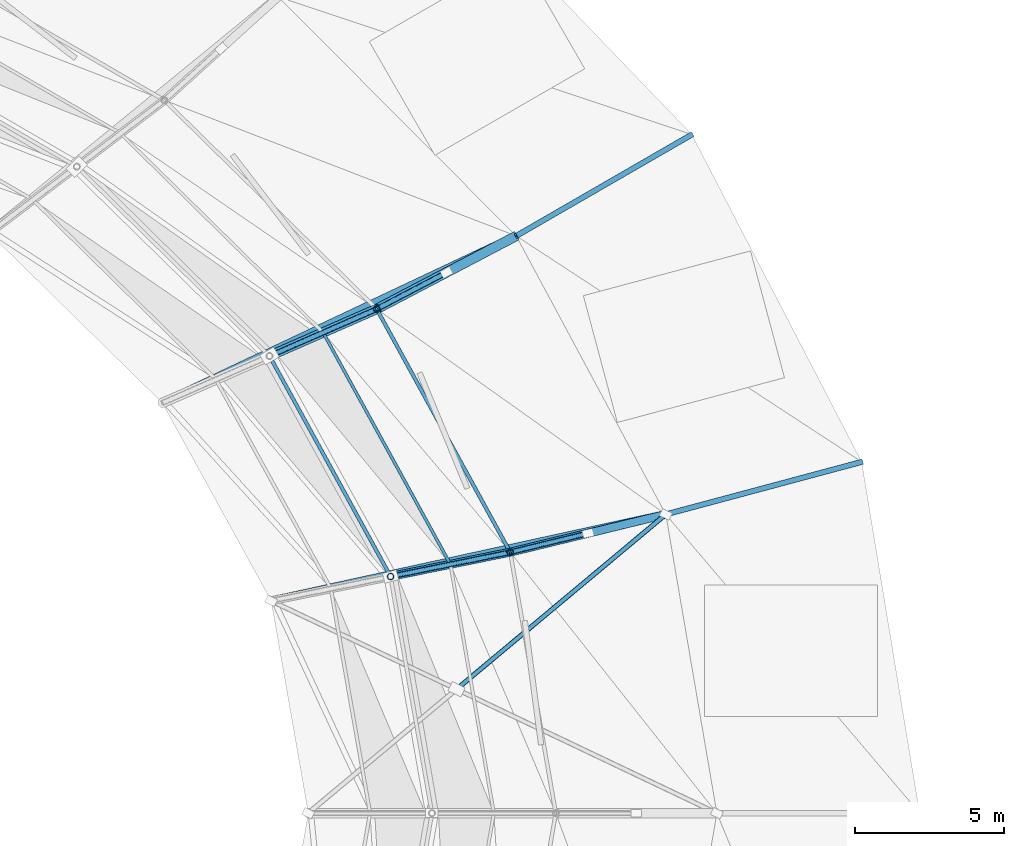
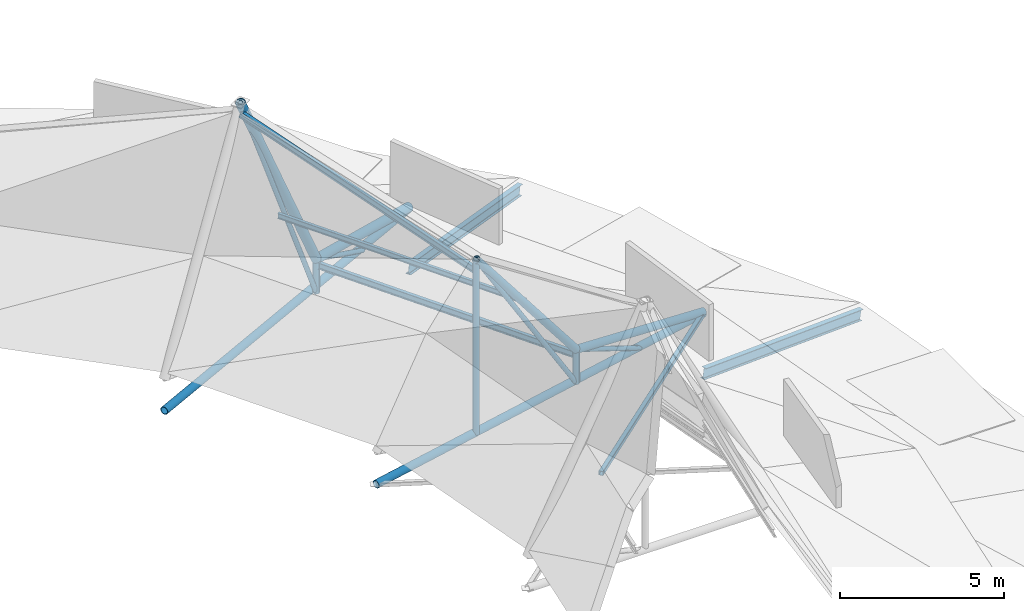
# One storey, part 22 of 36: 15 members, 4 beams.
"""IFC4 building model written with IfcOpenShell, lengths in metres."""

from ifc_helpers import new_model, si_unit, direction, frame, origin, origin_2d, place, context, subcontext, project, spatial, hollow_rectangle, hollow_circle, i_section, extrude, material, material_profile, profile_set, type_object, element, save


model = new_model("IFC4")

# Units and contexts
model_context = context("Model", 3, precision=1e-05, world=origin(), true_north=direction((0.0, 1.0)))
body_context = subcontext(model_context, "Body", "Model", "MODEL_VIEW")
ifc_project = project(units=[si_unit("LENGTHUNIT", "METRE"), si_unit("AREAUNIT", "SQUARE_METRE"), si_unit("VOLUMEUNIT", "CUBIC_METRE"), si_unit("PLANEANGLEUNIT", "RADIAN"), si_unit("MASSUNIT", "GRAM", prefix="KILO")], contexts=[model_context])

# Site, building, storey
site_placement = place(None, origin())
site = spatial("IfcSite", under=ifc_project, at=site_placement, CompositionType="ELEMENT")
building_placement = place(site_placement, origin())
building = spatial("IfcBuilding", under=site, at=building_placement, Name="Kildeholm Park Wholesale Market", CompositionType="ELEMENT")
storey_placement = place(building_placement, frame((0.0, 0.0, 17.39990234375)))
storey = spatial("IfcBuildingStorey", under=building, at=storey_placement, Name="Roof", CompositionType="ELEMENT", Elevation=17.39990234375)

# Beams
ifc_material = material(Name="Steel S355", Category="steel")
ifc_material_profile_1 = material_profile(ifc_material, i_section(OverallWidth=0.179931640625, OverallDepth=0.39990234375, WebThickness=0.008544921875, FlangeThickness=0.013427734375, FilletRadius=0.02099609375, at=origin_2d()), Name="IPE 400")
ifc_profile_set_1 = profile_set([ifc_material_profile_1], Name="Steel S355")
beam_type_1 = type_object("IfcBeamType", Name="Beam B-P01 IPE 400", PredefinedType="BEAM", material=ifc_profile_set_1)
beam_1_placement = place(storey_placement, frame((154.05810546875, 101.27587890625, -8.025634765625), z_axis=(-0.952422278961, -0.255140290138, 0.166719029766), x_axis=(0.258761805275, -0.965941161837, 0.0)))
element("IfcBeam", 1, at=beam_1_placement, inside=storey, type_object=beam_type_1, Name="Beam BM-V1-RF-S1-01 BM-0225", PredefinedType="BEAM", context=body_context, shape_type="SweptSolid", body=[
    extrude(i_section(OverallWidth=0.179931640625, OverallDepth=0.39990234375, WebThickness=0.008544921875, FlangeThickness=0.013427734375, FilletRadius=0.02099609375, at=origin_2d()), origin(), (0.0, 0.0, 1.0), 6.897216796875),
])
beam_2_placement = place(storey_placement, frame((148.363037109375, 112.25, -8.026123046875), z_axis=(-0.853906130286, -0.492993523087, 0.166738438442), x_axis=(0.499992841449, -0.866029536736, 0.0)))
element("IfcBeam", 2, at=beam_2_placement, inside=storey, type_object=beam_type_1, Name="Beam BM-V1-RF-S1-02 BM-0231", PredefinedType="BEAM", context=body_context, shape_type="SweptSolid", body=[
    extrude(i_section(OverallWidth=0.179931640625, OverallDepth=0.39990234375, WebThickness=0.008544921875, FlangeThickness=0.013427734375, FilletRadius=0.02099609375, at=origin_2d()), origin(), (0.0, 0.0, 1.0), 6.896484375),
])
ifc_material_profile_2 = material_profile(ifc_material, hollow_circle(Radius=0.136474609375, WallThickness=0.01611328125, at=origin_2d()), Name="CHS 273x16")
ifc_profile_set_2 = profile_set([ifc_material_profile_2], Name="Steel S355")
beam_type_2 = type_object("IfcBeamType", Name="Beam B-T01 CHS 273x16", PredefinedType="BEAM", material=ifc_profile_set_2)
beam_3_placement = place(storey_placement, frame((147.489013671875, 99.51611328125, -4.6298828125), z_axis=(-0.976846137752, -0.213943037181, 0.0), x_axis=(0.213943037181, -0.976846137752, 0.0)))
element("IfcBeam", 3, at=beam_3_placement, inside=storey, type_object=beam_type_2, Name="Beam BM-V1-TIE-01 BM-0230", PredefinedType="BEAM", context=body_context, shape_type="SweptSolid", body=[
    extrude(hollow_circle(Radius=0.136474609375, WallThickness=0.01611328125, at=origin_2d()), origin(), (0.0, 0.0, 1.0), 13.546630859375),
])
beam_4_placement = place(storey_placement, frame((142.47412109375, 108.85009765625, -4.6298828125), z_axis=(-0.904317894242, -0.426859632846, 0.0), x_axis=(0.426859632846, -0.904317894242, 0.0)))
element("IfcBeam", 4, at=beam_4_placement, inside=storey, type_object=beam_type_2, Name="Beam BM-V1-TIE-02 BM-0236", PredefinedType="BEAM", context=body_context, shape_type="SweptSolid", body=[
    extrude(hollow_circle(Radius=0.136474609375, WallThickness=0.01611328125, at=origin_2d()), origin(), (0.0, 0.0, 1.0), 13.119384765625),
])

# Members
ifc_material_profile_3 = material_profile(ifc_material, i_section(OverallWidth=0.10009765625, OverallDepth=0.199951171875, WebThickness=0.005615234375, FlangeThickness=0.008544921875, FilletRadius=0.011962890625, at=origin_2d()), Name="IPE 200")
ifc_profile_set_3 = profile_set([ifc_material_profile_3], Name="Steel S355")
member_type_1 = type_object("IfcMemberType", Name="Member PR-01 IPE 200", PredefinedType="PURLIN", material=ifc_profile_set_3)
member_1_placement = place(storey_placement, frame((140.2685546875, 97.840576171875, -0.652099609375), z_axis=(-0.481311912793, 0.876549395415, 0.0), x_axis=(-0.876549395415, -0.481311912793, 0.0)))
element("IfcMember", 5, at=member_1_placement, inside=storey, type_object=member_type_1, Name="Member PR-V1-MDO-01 MEM-0026", PredefinedType="PURLIN", context=body_context, shape_type="SweptSolid", body=[
    extrude(i_section(OverallWidth=0.10009765625, OverallDepth=0.199951171875, WebThickness=0.005615234375, FlangeThickness=0.008544921875, FilletRadius=0.011962890625, at=origin_2d()), origin(), (0.0, 0.0, 1.0), 8.866455078125),
])
ifc_material_profile_4 = material_profile(ifc_material, i_section(OverallWidth=0.1201171875, OverallDepth=0.239990234375, WebThickness=0.006103515625, FlangeThickness=0.009765625, FilletRadius=0.014892578125, at=origin_2d()), Name="IPE 240")
ifc_profile_set_4 = profile_set([ifc_material_profile_4], Name="Steel S355")
member_type_2 = type_object("IfcMemberType", Name="Member PR-02 IPE 240", PredefinedType="PURLIN", material=ifc_profile_set_4)
member_2_placement = place(storey_placement, frame((142.27294921875, 98.248046875, -3.587158203125), z_axis=(-0.481203038707, 0.876609169208, 0.0), x_axis=(-0.876609169208, -0.481203038707, 0.0)))
element("IfcMember", 6, at=member_2_placement, inside=storey, type_object=member_type_2, Name="Member PR-V1-STP2-01 MEM-0024", PredefinedType="PURLIN", context=body_context, shape_type="SweptSolid", body=[
    extrude(i_section(OverallWidth=0.1201171875, OverallDepth=0.239990234375, WebThickness=0.006103515625, FlangeThickness=0.009765625, FilletRadius=0.014892578125, at=origin_2d()), origin(), (0.0, 0.0, 1.0), 9.29931640625),
])
member_3_placement = place(storey_placement, frame((138.263916015625, 97.43310546875, 1.45263671875), z_axis=(-0.456875430623, 0.831849023572, 0.315106399292), x_axis=(-0.876501192801, -0.481399687389, 0.0)))
element("IfcMember", 7, at=member_3_placement, inside=storey, type_object=member_type_2, Name="Member PR-V1-CRWN-01 MEM-0025", PredefinedType="PURLIN", context=body_context, shape_type="SweptSolid", body=[
    extrude(i_section(OverallWidth=0.1201171875, OverallDepth=0.239990234375, WebThickness=0.006103515625, FlangeThickness=0.009765625, FilletRadius=0.014892578125, at=origin_2d()), origin(), (0.0, 0.0, 1.0), 8.885986328125),
])
ifc_material_profile_5 = material_profile(ifc_material, hollow_circle(Radius=0.084228515625, WallThickness=0.010009765625, at=origin_2d()), Name="CHS 168.3x10")
ifc_profile_set_5 = profile_set([ifc_material_profile_5], Name="Steel S355")
member_type_3 = type_object("IfcMemberType", Name="Member TB-01 CHS 168.3x10", PredefinedType="BRACE", material=ifc_profile_set_5)
member_4_placement = place(storey_placement, frame((144.881103515625, 98.882080078125, -4.6298828125), z_axis=(-0.882118272304, -0.214439872056, 0.419383946928), x_axis=(0.23621695959, -0.971700338583, 0.0)))
element("IfcMember", 8, at=member_4_placement, inside=storey, type_object=member_type_3, Name="Member TR-V1-01-WB1 MEM-0021", PredefinedType="BRACE", context=body_context, shape_type="SweptSolid", body=[
    extrude(hollow_circle(Radius=0.084228515625, WallThickness=0.010009765625, at=origin_2d()), origin(), (0.0, 0.0, 1.0), 2.956787109375),
])
member_5_placement = place(storey_placement, frame((142.27294921875, 98.248046875, -4.6298828125), z_axis=(-0.522567771104, -0.106225639117, 0.845954513078), x_axis=(0.199202307798, -0.979958387161, 0.0)))
element("IfcMember", 9, at=member_5_placement, inside=storey, type_object=member_type_3, Name="Member TR-V1-01-WB2 MEM-0022", PredefinedType="BRACE", context=body_context, shape_type="SweptSolid", body=[
    extrude(hollow_circle(Radius=0.084228515625, WallThickness=0.010009765625, at=origin_2d()), origin(), (0.0, 0.0, 1.0), 7.671875),
])
member_6_placement = place(storey_placement, frame((140.135986328125, 107.625, -4.6298828125), z_axis=(-0.801693118644, -0.420101928713, 0.425208787551), x_axis=(0.464152153462, -0.885755484565, 0.0)))
element("IfcMember", 10, at=member_6_placement, inside=storey, type_object=member_type_3, Name="Member TR-V1-02-WB1 MEM-0033", PredefinedType="BRACE", context=body_context, shape_type="SweptSolid", body=[
    extrude(hollow_circle(Radius=0.084228515625, WallThickness=0.010009765625, at=origin_2d()), origin(), (0.0, 0.0, 1.0), 2.916259765625),
])
member_7_placement = place(storey_placement, frame((137.798095703125, 106.39990234375, -4.6298828125), z_axis=(-0.356379261851, -0.156171633598, 0.921197178992), x_axis=(0.401370362449, -0.915915843376, 0.0)))
element("IfcMember", 11, at=member_7_placement, inside=storey, type_object=member_type_3, Name="Member TR-V1-02-WB2 MEM-0034", PredefinedType="BRACE", context=body_context, shape_type="SweptSolid", body=[
    extrude(hollow_circle(Radius=0.084228515625, WallThickness=0.010009765625, at=origin_2d()), origin(), (0.0, 0.0, 1.0), 10.084716796875),
])
ifc_material_profile_6 = material_profile(ifc_material, hollow_circle(Radius=0.109619140625, WallThickness=0.012451171875, at=origin_2d()), Name="CHS 219.1x12.5")
ifc_profile_set_6 = profile_set([ifc_material_profile_6], Name="Steel S355")
member_type_4 = type_object("IfcMemberType", Name="Member TB-02 CHS 219.1x12.5", PredefinedType="BRACE", material=ifc_profile_set_6)
member_8_placement = place(storey_placement, frame((142.27294921875, 98.248046875, -4.6298828125), z_axis=(0.0, 0.0, 1.0), x_axis=(1.0, 0.0, 0.0)))
element("IfcMember", 12, at=member_8_placement, inside=storey, type_object=member_type_4, Name="Member TR-V1-01-VT1 MEM-0019", PredefinedType="BRACE", context=body_context, shape_type="SweptSolid", body=[
    extrude(hollow_circle(Radius=0.109619140625, WallThickness=0.012451171875, at=origin_2d()), origin(), (0.0, 0.0, 1.0), 1.239990234375),
])
member_9_placement = place(storey_placement, frame((138.263916015625, 97.43310546875, -4.6298828125), z_axis=(0.0, 0.0, 1.0), x_axis=(1.0, 0.0, 0.0)))
element("IfcMember", 13, at=member_9_placement, inside=storey, type_object=member_type_4, Name="Member TR-V1-01-VT2 MEM-0020", PredefinedType="BRACE", context=body_context, shape_type="SweptSolid", body=[
    extrude(hollow_circle(Radius=0.109619140625, WallThickness=0.012451171875, at=origin_2d()), origin(), (0.0, 0.0, 1.0), 6.489990234375),
])
member_10_placement = place(storey_placement, frame((137.798095703125, 106.39990234375, -4.6298828125), z_axis=(0.0, 0.0, 1.0), x_axis=(1.0, 0.0, 0.0)))
element("IfcMember", 14, at=member_10_placement, inside=storey, type_object=member_type_4, Name="Member TR-V1-02-VT1 MEM-0031", PredefinedType="BRACE", context=body_context, shape_type="SweptSolid", body=[
    extrude(hollow_circle(Radius=0.109619140625, WallThickness=0.012451171875, at=origin_2d()), origin(), (0.0, 0.0, 1.0), 1.239990234375),
])
ifc_material_profile_7 = material_profile(ifc_material, hollow_rectangle(XDim=0.159912109375, YDim=0.159912109375, WallThickness=0.010009765625, InnerFilletRadius=0.010009765625, OuterFilletRadius=0.02001953125, at=origin_2d()), Name="SHS 160x160x10")
ifc_profile_set_7 = profile_set([ifc_material_profile_7], Name="Steel S355")
member_type_5 = type_object("IfcMemberType", Name="Member TB-04 SHS 160x160x10", PredefinedType="BRACE", material=ifc_profile_set_7)
member_11_placement = place(storey_placement, frame((147.489013671875, 99.51611328125, -4.6298828125), z_axis=(-0.767422431647, -0.641141802884, 0.0), x_axis=(0.641141802884, -0.767422431647, 0.0)))
element("IfcMember", 15, at=member_11_placement, inside=storey, type_object=member_type_5, Name="Member BR-V1-RF-00-2A MEM-0014", PredefinedType="BRACE", context=body_context, shape_type="SweptSolid", body=[
    extrude(hollow_rectangle(XDim=0.159912109375, YDim=0.159912109375, WallThickness=0.010009765625, InnerFilletRadius=0.010009765625, OuterFilletRadius=0.02001953125, at=origin_2d()), origin(), (0.0, 0.0, 1.0), 9.10009765625),
])
ifc_material_profile_8 = material_profile(ifc_material, hollow_circle(Radius=0.161865234375, WallThickness=0.01611328125, at=origin_2d()), Name="CHS 323.9x16")
ifc_profile_set_8 = profile_set([ifc_material_profile_8], Name="Steel S355")
member_type_6 = type_object("IfcMemberType", Name="Member TC-01 CHS 323.9x16", PredefinedType="CHORD", material=ifc_profile_set_8)
member_12_placement = place(storey_placement, frame((142.47412109375, 108.85009765625, -4.579833984375), z_axis=(-0.864086026653, -0.4527733182, 0.219890110892), x_axis=(0.464133140114, -0.885765447649, 0.0)))
element("IfcMember", 16, at=member_12_placement, inside=storey, type_object=member_type_6, Name="Member TR-V1-02-TC1 MEM-0028", PredefinedType="CHORD", context=body_context, shape_type="SweptSolid", body=[
    extrude(hollow_circle(Radius=0.161865234375, WallThickness=0.01611328125, at=origin_2d()), origin(), (0.0, 0.0, 1.0), 5.41162109375),
])
member_13_placement = place(storey_placement, frame((137.798095703125, 106.39990234375, -3.389892578125), z_axis=(-0.401318045198, -0.175864595447, 0.898896807574), x_axis=(0.401370362449, -0.915915843376, 0.0)))
element("IfcMember", 17, at=member_13_placement, inside=storey, type_object=member_type_6, Name="Member TR-V1-02-TC2 MEM-0029", PredefinedType="CHORD", context=body_context, shape_type="SweptSolid", body=[
    extrude(hollow_circle(Radius=0.161865234375, WallThickness=0.01611328125, at=origin_2d()), origin(), (0.0, 0.0, 1.0), 8.95556640625),
])
ifc_material_profile_9 = material_profile(ifc_material, hollow_circle(Radius=0.136474609375, WallThickness=0.01611328125, at=origin_2d()), Name="CHS 273x16")
ifc_profile_set_9 = profile_set([ifc_material_profile_9], Name="Steel S355")
member_type_7 = type_object("IfcMemberType", Name="Member TC-02 CHS 273x16", PredefinedType="CHORD", material=ifc_profile_set_9)
member_14_placement = place(storey_placement, frame((147.489013671875, 99.51611328125, -4.579833984375), z_axis=(-0.948668918069, -0.230628895879, 0.216419953507), x_axis=(0.236227398885, -0.971697800767, 0.0)))
element("IfcMember", 18, at=member_14_placement, inside=storey, type_object=member_type_7, Name="Member TR-V1-01-TC1 MEM-0016", PredefinedType="CHORD", context=body_context, shape_type="SweptSolid", body=[
    extrude(hollow_circle(Radius=0.136474609375, WallThickness=0.01611328125, at=origin_2d()), origin(), (0.0, 0.0, 1.0), 5.498291015625),
])
member_15_placement = place(storey_placement, frame((142.27294921875, 98.248046875, -3.389892578125), z_axis=(-0.60234152746, -0.122441752552, 0.78879192537), x_axis=(0.199202307798, -0.979958387161, 0.0)))
element("IfcMember", 19, at=member_15_placement, inside=storey, type_object=member_type_7, Name="Member TR-V1-01-TC2 MEM-0017", PredefinedType="CHORD", context=body_context, shape_type="SweptSolid", body=[
    extrude(hollow_circle(Radius=0.136474609375, WallThickness=0.01611328125, at=origin_2d()), origin(), (0.0, 0.0, 1.0), 6.65576171875),
])

save(model, "model.ifc")
